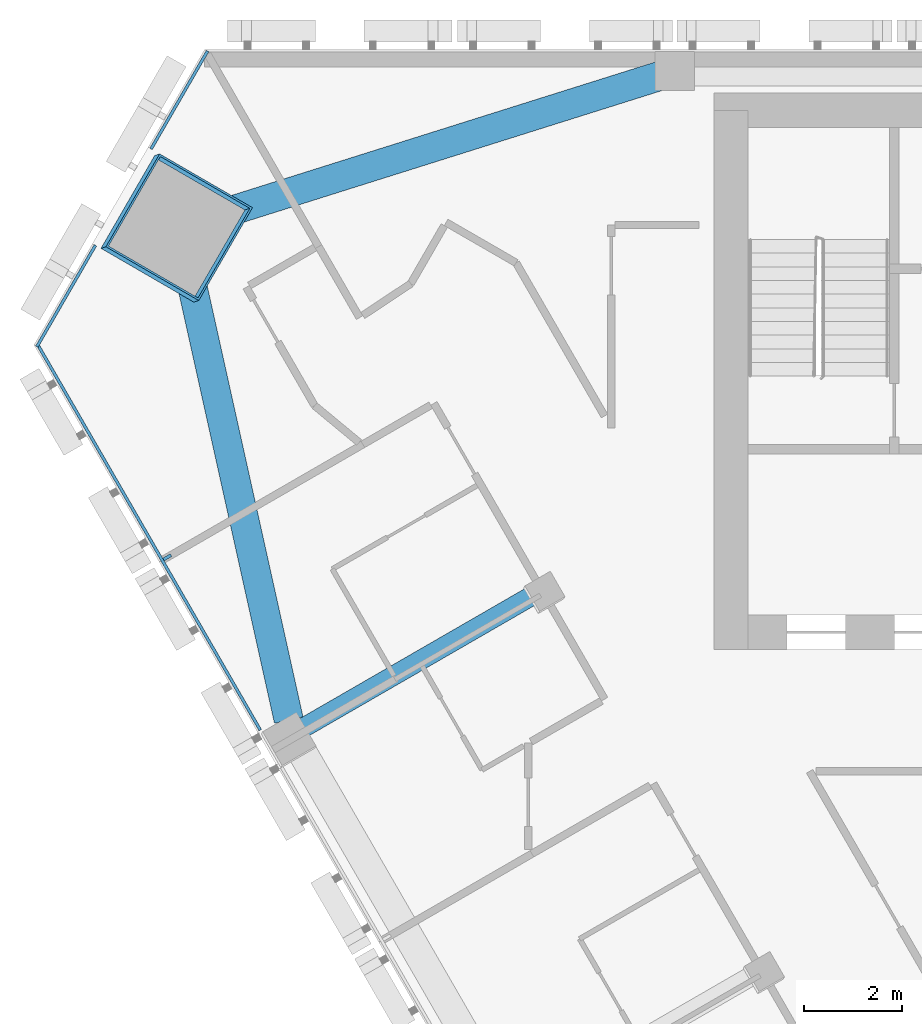
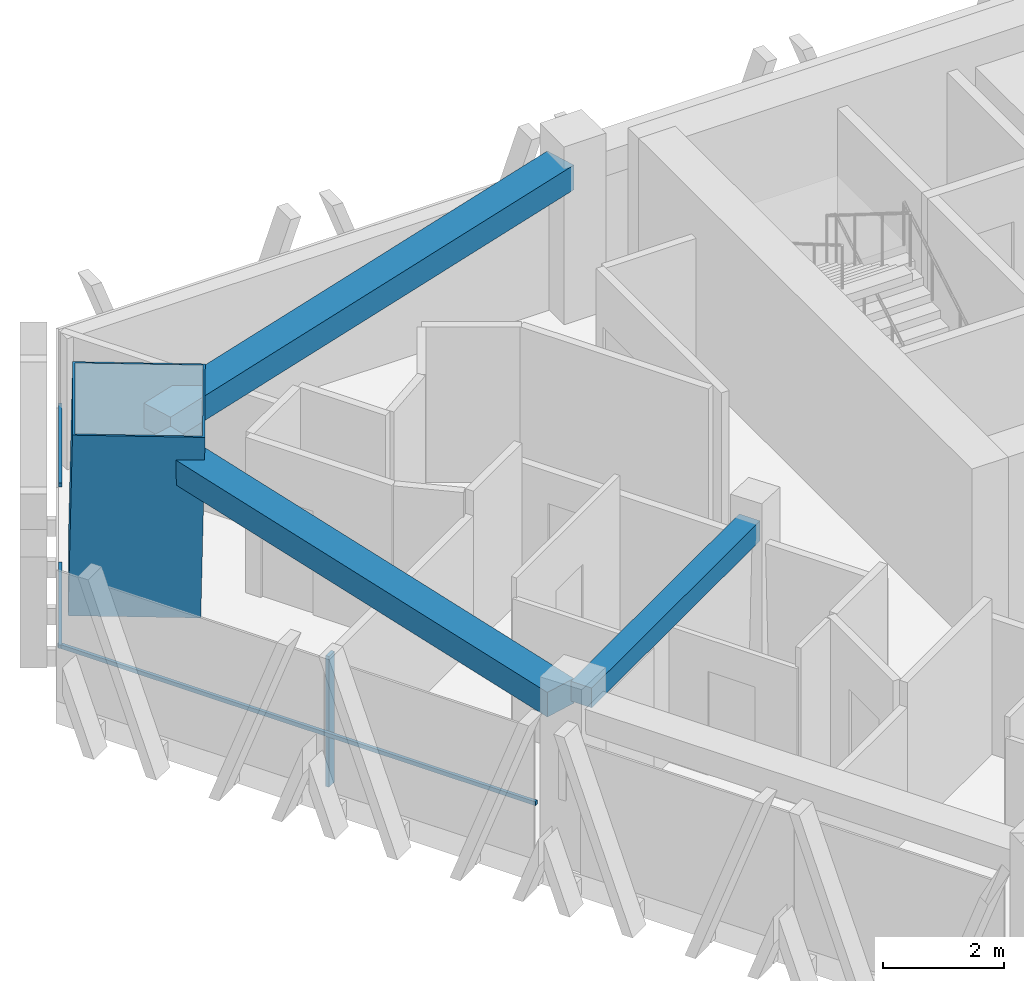
# One storey, part 5 of 16: 5 members, 3 beams, 2 elements without a shape of their own.
"""IFC4 building model written with IfcOpenShell, lengths in metres."""

from ifc_helpers import new_model, si_unit, direction, frame, origin, origin_2d, place, context, subcontext, project, spatial, rectangle, hollow_rectangle, extrude, material, layer, layer_set, material_profile, profile_set, type_object, element, aggregate, save


model = new_model("IFC4")

# Units and contexts
model_context = context("Model", 3, precision=1e-05, world=origin(), true_north=direction((0.0, 1.0)))
body_context = subcontext(model_context, "Body", "Model", "MODEL_VIEW")
ifc_project = project(units=[si_unit("LENGTHUNIT", "METRE"), si_unit("AREAUNIT", "SQUARE_METRE"), si_unit("VOLUMEUNIT", "CUBIC_METRE"), si_unit("PLANEANGLEUNIT", "RADIAN"), si_unit("MASSUNIT", "GRAM", prefix="KILO")], contexts=[model_context])

# Site, building, storey
site_placement = place(None, origin())
site = spatial("IfcSite", under=ifc_project, at=site_placement, CompositionType="ELEMENT")
building_placement = place(site_placement, origin())
building = spatial("IfcBuilding", under=site, at=building_placement, Name="Altiplano Prism Tower", CompositionType="ELEMENT")
storey_placement = place(building_placement, frame((0.0, 0.0, 167.39990234375)))
storey = spatial("IfcBuildingStorey", under=building, at=storey_placement, Name="L43", CompositionType="ELEMENT", Elevation=167.39990234375)

# Curtain wall, member
ifc_material_1 = material(Name="Aluminium and glass", Category="aluminium")
ifc_layer = layer(ifc_material_1, 0.280029296875)
ifc_layer_set = layer_set([ifc_layer], Name="Aluminium and glass")
curtain_wall_type = type_object("IfcCurtainWallType", Name="CW1 typical co-living unitised curtain wall", PredefinedType="NOTDEFINED", material=ifc_layer_set)
curtain_wall_1_placement = place(storey_placement, origin())
curtain_wall_1 = element("IfcCurtainWall", 1, at=curtain_wall_1_placement, inside=storey, type_object=curtain_wall_type, Name="CW1 curtain wall south-west face L43", PredefinedType="NOTDEFINED")
ifc_material_2 = material(Name="Aluminium", Category="aluminium")
ifc_material_profile_1 = material_profile(ifc_material_2, rectangle(XDim=0.179931640625, YDim=0.06494140625, at=origin_2d()), Name="CW1 mullion 65 x 180")
ifc_profile_set_1 = profile_set([ifc_material_profile_1], Name="Aluminium")
member_type_1 = type_object("IfcMemberType", Name="CW1 mullion 65 x 180", PredefinedType="MULLION", material=ifc_profile_set_1)
member_1_placement = place(storey_placement, frame((61.09765625, 94.586669921875, 0.0), z_axis=(0.0, 0.0, 1.0), x_axis=(0.866025409221, 0.499999990583, 0.0)))
member_1 = element("IfcMember", 2, at=member_1_placement, type_object=member_type_1, Name="CW1 mullion", PredefinedType="MULLION", context=body_context, shape_type="SweptSolid", body=[
    extrude(rectangle(XDim=0.179931640625, YDim=0.06494140625, at=origin_2d()), origin(), (0.0, 0.0, 1.0), 2.650146484375),
])

# Curtain wall, members
curtain_wall_2_placement = place(storey_placement, origin())
curtain_wall_2 = element("IfcCurtainWall", 3, at=curtain_wall_2_placement, inside=storey, type_object=curtain_wall_type, Name="CW1 curtain wall north-west chamfer L43", PredefinedType="NOTDEFINED")
ifc_material_profile_2 = material_profile(ifc_material_2, rectangle(XDim=0.06005859375, YDim=0.080078125, at=origin_2d()), Name="CW1 transom 80 x 60")
ifc_profile_set_2 = profile_set([ifc_material_profile_2], Name="Aluminium")
member_type_2 = type_object("IfcMemberType", Name="CW1 transom 80 x 60", PredefinedType="USERDEFINED", material=ifc_profile_set_2)
member_2_placement = place(storey_placement, frame((61.9248046875, 104.965087890625, 1.10009765625), z_axis=(-0.499932046183, -0.866064633385, 0.0), x_axis=(0.866064633385, -0.499932046183, 0.0)))
member_2 = element("IfcMember", 4, at=member_2_placement, type_object=member_type_2, Name="CW1 transom", ObjectType="TRANSOM", PredefinedType="USERDEFINED", context=body_context, shape_type="SweptSolid", body=[
    extrude(rectangle(XDim=0.06005859375, YDim=0.080078125, at=origin_2d()), origin(), (0.0, 0.0, 1.0), 2.319091796875),
])
member_3_placement = place(storey_placement, frame((59.62548828125, 100.982177734375, 1.10009765625), z_axis=(-0.500013115284, -0.866017831539, 0.0), x_axis=(0.866017831539, -0.500013115284, 0.0)))
member_3 = element("IfcMember", 5, at=member_3_placement, type_object=member_type_2, Name="CW1 transom", ObjectType="TRANSOM", PredefinedType="USERDEFINED", context=body_context, shape_type="SweptSolid", body=[
    extrude(rectangle(XDim=0.06005859375, YDim=0.080078125, at=origin_2d()), origin(), (0.0, 0.0, 1.0), 2.3994140625),
])
aggregate(curtain_wall_2, [member_2, member_3])

# Member
member_4_placement = place(storey_placement, frame((58.42578125, 98.974365234375, 1.10009765625), z_axis=(0.500004811665, -0.86602262575, 0.0), x_axis=(0.86602262575, 0.500004811665, 0.0)))
member_4 = element("IfcMember", 6, at=member_4_placement, type_object=member_type_2, Name="CW1 transom", ObjectType="TRANSOM", PredefinedType="USERDEFINED", context=body_context, shape_type="SweptSolid", body=[
    extrude(rectangle(XDim=0.06005859375, YDim=0.080078125, at=origin_2d()), origin(), (0.0, 0.0, 1.0), 9.15625),
])

aggregate(curtain_wall_1, [member_1, member_4])

# Beams
ifc_material_3 = material(Name="Concrete C60/75", Category="concrete")
ifc_material_profile_3 = material_profile(ifc_material_3, rectangle(XDim=0.60009765625, YDim=0.5, at=origin_2d()), Name="Edge beam 600x500")
ifc_profile_set_3 = profile_set([ifc_material_profile_3], Name="Concrete C60/75")
beam_type_1 = type_object("IfcBeamType", Name="Edge beam 600x500", PredefinedType="SPANDREL", material=ifc_profile_set_3)
for number, where, z_axis, x_axis, name in (
    (7, (71.21435546875, 104.460205078125, 2.900146484375), (-0.953861808355, -0.300245983424, 0.0), (0.300245983424, -0.953861808355, 0.0), "Edge beam P04-M0 L44"),
    (8, (61.4404296875, 100.913818359375, 2.900146484375), (0.216935680567, -0.976185899559, 0.0), (0.976185899559, 0.216935680567, 0.0), "Edge beam M0-P11 L44"),
):
    element("IfcBeam", number, at=place(storey_placement, frame(where, z_axis=z_axis, x_axis=x_axis)), inside=storey, type_object=beam_type_1, Name=name, PredefinedType="SPANDREL", context=body_context, shape_type="SweptSolid", body=[
        extrude(rectangle(XDim=0.60009765625, YDim=0.5, at=origin_2d()), origin(), (0.0, 0.0, 1.0), 9.899169921875),
    ])

# Member
ifc_material_4 = material(Name="Steel S460", Category="steel")
ifc_material_profile_4 = material_profile(ifc_material_4, hollow_rectangle(XDim=2.199951171875, YDim=2.199951171875, WallThickness=0.0400390625, at=origin_2d()), Name="Mega column tube 2200")
ifc_profile_set_4 = profile_set([ifc_material_profile_4], Name="Steel S460")
member_type_3 = type_object("IfcMemberType", Name="Mega column tube 2200", PredefinedType="POST", material=ifc_profile_set_4)
member_5_placement = place(storey_placement, frame((61.240478515625, 101.31982421875, 0.0), z_axis=(0.028401814599, 0.009218727412, 0.999554076572), x_axis=(-0.865123051177, 0.5011623582, 0.019959885917)))
element("IfcMember", 9, at=member_5_placement, inside=storey, type_object=member_type_3, Name="Mega column tube M0 L43", PredefinedType="POST", context=body_context, shape_type="SweptSolid", body=[
    extrude(hollow_rectangle(XDim=2.199951171875, YDim=2.199951171875, WallThickness=0.0400390625, at=origin_2d()), origin(), (0.0, 0.0, 1.0), 3.601806640625),
])

# Beam
ifc_material_profile_5 = material_profile(ifc_material_3, rectangle(XDim=0.39990234375, YDim=0.39990234375, at=origin_2d()), Name="Tie beam 400x400")
ifc_profile_set_5 = profile_set([ifc_material_profile_5], Name="Concrete C60/75")
beam_type_2 = type_object("IfcBeamType", Name="Tie beam 400x400", PredefinedType="BEAM", material=ifc_profile_set_5)
beam_placement = place(storey_placement, frame((68.736328125, 93.89306640625, 2.9501953125), z_axis=(-0.866030670444, -0.499990877767, 0.0), x_axis=(0.499990877767, -0.866030670444, 0.0)))
element("IfcBeam", 10, at=beam_placement, inside=storey, type_object=beam_type_2, Name="Tie beam I11 L44", PredefinedType="BEAM", context=body_context, shape_type="SweptSolid", body=[
    extrude(rectangle(XDim=0.39990234375, YDim=0.39990234375, at=origin_2d()), origin(), (0.0, 0.0, 1.0), 5.58984375),
])

save(model, "model.ifc")
